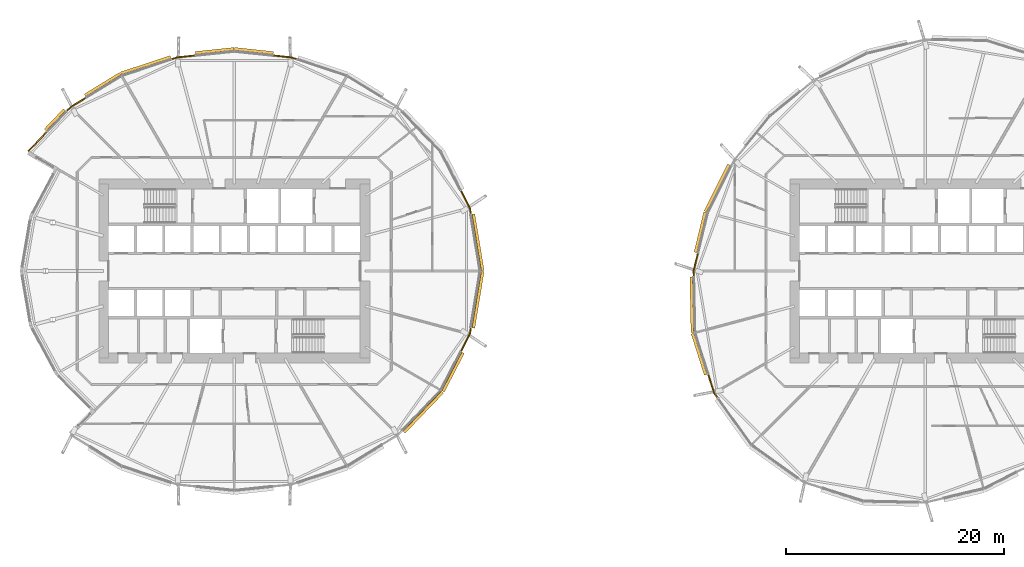
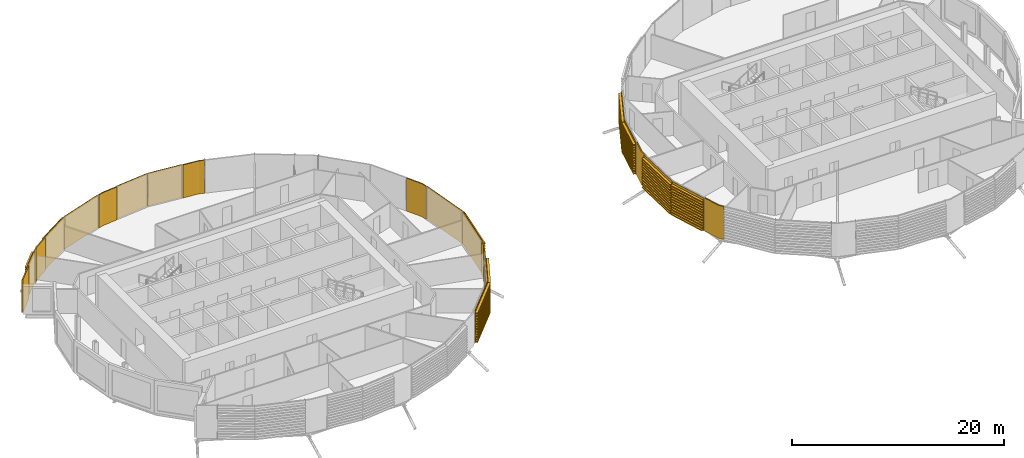
# One storey, part 34 of 37: 21 coverings.
"""IFC4 building model written with IfcOpenShell, lengths in metres."""

import ifcopenshell
import ifcopenshell.guid

model = None  # the IFC model being written
_history = None  # IfcOwnerHistory: only IFC2X3 demands one
_inside = {}  # id of a spatial element -> (the spatial element, [elements in it])
_under = {}  # id of a project, library or spatial element -> (it, [spatial elements below it])
_declared = {}  # id of a project -> (the project, [libraries it declares])
_typed = {}  # id of a type object -> (the type object, [elements of that type])
_made_of = {}  # id of a material, layer set ... -> (it, [elements and type objects made of it])


def new_model(schema):
    """Start an empty IFC model of exactly this schema.

    Asked for "IFC4X3", IfcOpenShell would pick the latest addendum, in which some entities
    have other attributes; the version numbers below select the first issue.
    IFC2X3 requires an IfcOwnerHistory on every rooted entity: one is made here for all.
    """
    global model, _history
    if schema == "IFC4X3":
        model = ifcopenshell.file(schema_version=(4, 3, 0, 0))
    else:
        model = ifcopenshell.file(schema=schema)
    _inside.clear()
    _under.clear()
    _declared.clear()
    _typed.clear()
    _made_of.clear()
    _history = None
    if model.schema == "IFC2X3":
        org = make("IfcOrganization", Name="unknown")
        user = make(
            "IfcPersonAndOrganization",
            ThePerson=make("IfcPerson", FamilyName="unknown"),
            TheOrganization=org,
        )
        app = make(
            "IfcApplication",
            ApplicationDeveloper=org,
            Version="unknown",
            ApplicationFullName="unknown",
            ApplicationIdentifier="unknown",
        )
        _history = make(
            "IfcOwnerHistory",
            OwningUser=user,
            OwningApplication=app,
            ChangeAction="ADDED",
            CreationDate=0,
        )
    return model


def make(cls, **values):
    """One entity of the class cls with the attributes given. An attribute that is None is left unset."""
    return model.create_entity(
        cls, **{name: value for name, value in values.items() if value is not None}
    )


def rooted(cls, **values):
    """An entity with a GlobalId (a new one), such as an element, a storey or a relation."""
    return make(cls, GlobalId=ifcopenshell.guid.new(), OwnerHistory=_history, **values)


def si_unit(unit_type, name, prefix=None):
    """IfcSIUnit, for example si_unit("LENGTHUNIT", "METRE", prefix="MILLI")."""
    return make("IfcSIUnit", UnitType=unit_type, Prefix=prefix, Name=name)


def assignment(units):
    """IfcUnitAssignment: the units of a project."""
    return None if units is None else make("IfcUnitAssignment", Units=units)


def point(xyz):
    """IfcCartesianPoint."""
    return None if xyz is None else make("IfcCartesianPoint", Coordinates=xyz)


def direction(xyz):
    """IfcDirection."""
    return None if xyz is None else make("IfcDirection", DirectionRatios=xyz)


def frame(location, z_axis=None, x_axis=None):
    """IfcAxis2Placement3D, a coordinate frame: its origin and axes. An axis left out is left unset."""
    return make(
        "IfcAxis2Placement3D",
        Location=point(location),
        Axis=direction(z_axis),
        RefDirection=direction(x_axis),
    )


def origin():
    """The frame at (0, 0, 0) with its axes left unset."""
    return frame((0.0, 0.0, 0.0))


def place(relative_to, where):
    """IfcLocalPlacement: puts the frame where relative to a parent placement (None: the world)."""
    return make(
        "IfcLocalPlacement", PlacementRelTo=relative_to, RelativePlacement=where
    )


def context(
    kind, dimensions, precision=None, world=None, true_north=None, identifier=None
):
    """IfcGeometricRepresentationContext, for example the 3D "Model" context."""
    return make(
        "IfcGeometricRepresentationContext",
        ContextIdentifier=identifier,
        ContextType=kind,
        CoordinateSpaceDimension=dimensions,
        Precision=precision,
        WorldCoordinateSystem=world,
        TrueNorth=true_north,
    )


def subcontext(parent, identifier, kind, view, scale=None):
    """IfcGeometricRepresentationSubContext, for example "Body" below "Model"."""
    return make(
        "IfcGeometricRepresentationSubContext",
        ContextIdentifier=identifier,
        ContextType=kind,
        ParentContext=parent,
        TargetScale=scale,
        TargetView=view,
    )


def project(units=None, contexts=None):
    """IfcProject with its units and contexts."""
    return rooted(
        "IfcProject",
        Name="project",
        RepresentationContexts=contexts,
        UnitsInContext=assignment(units),
    )


def spatial(cls, under=None, at=None, **own):
    """A site, building, storey or space (cls), placed at a placement, below another one or the project."""
    s = rooted(cls, ObjectPlacement=at, **own)
    if under is not None:
        _under.setdefault(under.id(), (under, []))[1].append(s)
    return s


def polyline(points):
    """IfcPolyline through the points."""
    return make("IfcPolyline", Points=[point(p) for p in points])


def outline(outer, holes=None, kind="AREA"):
    """IfcArbitraryClosedProfileDef: a profile drawn as a closed curve; with holes, ...WithVoids."""
    if holes is None:
        return make("IfcArbitraryClosedProfileDef", ProfileType=kind, OuterCurve=outer)
    return make(
        "IfcArbitraryProfileDefWithVoids",
        ProfileType=kind,
        OuterCurve=outer,
        InnerCurves=holes,
    )


def extrude(swept, where, along, depth):
    """IfcExtrudedAreaSolid: the profile swept, set in the frame where, extruded along a direction by depth."""
    return make(
        "IfcExtrudedAreaSolid",
        SweptArea=swept,
        Position=where,
        ExtrudedDirection=direction(along),
        Depth=depth,
    )


def shape(context_of_items, identifier, shape_type, items):
    """IfcShapeRepresentation: the items that make up one representation, for example the "Body"."""
    return make(
        "IfcShapeRepresentation",
        ContextOfItems=context_of_items,
        RepresentationIdentifier=identifier,
        RepresentationType=shape_type,
        Items=items,
    )


def material(Name=None, Category=None):
    """IfcMaterial."""
    return make("IfcMaterial", Name=Name, Category=Category)


def layer(
    of_material, thickness, ventilated=None, Name=None, Category=None, Priority=None
):
    """IfcMaterialLayer: one layer of a wall or slab, of a material (None: an air gap)."""
    return make(
        "IfcMaterialLayer",
        Material=of_material,
        LayerThickness=thickness,
        IsVentilated=ventilated,
        Name=Name,
        Category=Category,
        Priority=Priority,
    )


def layer_set(layers, Name=None):
    """IfcMaterialLayerSet."""
    return make("IfcMaterialLayerSet", MaterialLayers=layers, LayerSetName=Name)


def material_profile(
    of_material, cross_section, Name=None, Category=None, Priority=None
):
    """IfcMaterialProfile: a cross section and its material."""
    return make(
        "IfcMaterialProfile",
        Name=Name,
        Material=of_material,
        Profile=cross_section,
        Priority=Priority,
        Category=Category,
    )


def profile_set(profiles, Name=None, composite=None):
    """IfcMaterialProfileSet."""
    return make(
        "IfcMaterialProfileSet",
        Name=Name,
        MaterialProfiles=profiles,
        CompositeProfile=composite,
    )


def made_of(thing, what):
    """Note that an element or type object is made of a material, layer set ...; save() writes the relation."""
    if what is not None:
        _made_of.setdefault(what.id(), (what, []))[1].append(thing)
    return thing


def type_object(cls, material=None, **own):
    """A type object (cls), such as IfcWallType, which elements share."""
    return made_of(rooted(cls, **own), material)


def element(
    cls,
    number,
    at=None,
    inside=None,
    cuts=None,
    type_object=None,
    material=None,
    context=None,
    identifier="Body",
    shape_type=None,
    held_by="IfcProductDefinitionShape",
    body=None,
    shapes=None,
    **own,
):
    """One element of the class cls, such as IfcWall. Its Tag is "e" and its number.

    at: its placement. inside: the storey or other place that contains it. cuts: it is an
    opening in that element (IfcRelVoidsElement). A single representation is given by context,
    identifier, shape_type and body (its items); several are given by shapes. held_by: the class
    of the entity that holds the representations. save() writes the other relations.
    """
    e = rooted(cls, Tag="e%d" % number, ObjectPlacement=at, **own)
    if body is not None:
        shapes = [shape(context, identifier, shape_type, body)]
    if shapes is not None:
        e.Representation = make(held_by, Representations=shapes)
    if inside is not None:
        _inside.setdefault(inside.id(), (inside, []))[1].append(e)
    if cuts is not None:
        rooted(
            "IfcRelVoidsElement", RelatingBuildingElement=cuts, RelatedOpeningElement=e
        )
    if type_object is not None:
        _typed.setdefault(type_object.id(), (type_object, []))[1].append(e)
    return made_of(e, material)


def aggregate(whole, parts):
    """IfcRelAggregates: a whole, such as a stair, and the parts it consists of."""
    return rooted("IfcRelAggregates", RelatingObject=whole, RelatedObjects=parts)


def save(model, path):
    """Write the relations noted so far, then the file.

    IfcRelAggregates (storeys below a building ...), IfcRelContainedInSpatialStructure (elements
    in a storey), IfcRelDefinesByType, IfcRelAssociatesMaterial and IfcRelDeclares: one each for
    every whole, place, type object, material and project.
    """
    for whole, parts in _under.values():
        aggregate(whole, parts)
    for where, things in _inside.values():
        rooted(
            "IfcRelContainedInSpatialStructure",
            RelatedElements=things,
            RelatingStructure=where,
        )
    for kind, things in _typed.values():
        rooted("IfcRelDefinesByType", RelatedObjects=things, RelatingType=kind)
    for what, things in _made_of.values():
        rooted("IfcRelAssociatesMaterial", RelatedObjects=things, RelatingMaterial=what)
    for by, libraries in _declared.values():
        rooted("IfcRelDeclares", RelatingContext=by, RelatedDefinitions=libraries)
    model.write(path)


model = new_model("IFC4")

# Units and contexts
model_context = context("Model", 3, precision=1e-05, world=origin(), true_north=direction((0.0, 1.0)))
body_context = subcontext(model_context, "Body", "Model", "MODEL_VIEW")
ifc_project = project(units=[si_unit("LENGTHUNIT", "METRE"), si_unit("AREAUNIT", "SQUARE_METRE"), si_unit("VOLUMEUNIT", "CUBIC_METRE"), si_unit("PLANEANGLEUNIT", "RADIAN"), si_unit("MASSUNIT", "GRAM", prefix="KILO")], contexts=[model_context])

# Site, building, storey
site_placement = place(None, origin())
site = spatial("IfcSite", under=ifc_project, at=site_placement, CompositionType="ELEMENT")
building_placement = place(site_placement, origin())
building = spatial("IfcBuilding", under=site, at=building_placement, Name="Rimbun Link Towers", CompositionType="ELEMENT")
storey_placement = place(building_placement, frame((0.0, 0.0, 45.199951171875)))
storey = spatial("IfcBuildingStorey", under=building, at=storey_placement, Name="L10", CompositionType="ELEMENT", Elevation=45.199951171875)

# Coverings
ifc_material_1 = material(Name="Terracotta", Category="masonry")
ifc_layer = layer(ifc_material_1, 0.1201171875)
ifc_layer_set = layer_set([ifc_layer], Name="LINK PIER terracotta cladding 120")
covering_type_1 = type_object("IfcCoveringType", Name="LINK PIER terracotta cladding 120", PredefinedType="CLADDING", material=ifc_layer_set)
covering_1_placement = place(storey_placement, origin())
element("IfcCovering", 1, at=covering_1_placement, inside=storey, type_object=covering_type_1, Name="LINK PIER cladding", PredefinedType="CLADDING", context=body_context, shape_type="SweptSolid", body=[
    extrude(outline(polyline([(-10.972900390625, 7.357177734375), (-10.159423828125, 5.78515625), (-10.06689453125, 5.22265625), (-9.948486328125, 5.2421875), (-10.044189453125, 5.823486328125), (-10.866455078125, 7.412353515625), (-10.972900390625, 7.357177734375)])), origin(), (0.0, 0.0, 1.0), 3.800048828125),
])
covering_2_placement = place(storey_placement, origin())
element("IfcCovering", 2, at=covering_2_placement, inside=storey, type_object=covering_type_1, Name="LINK PIER cladding", PredefinedType="CLADDING", context=body_context, shape_type="SweptSolid", body=[
    extrude(outline(polyline([(-28.166015625, 19.7490234375), (-26.505126953125, 19.57421875), (-26.011474609375, 19.41064453125), (-25.9736328125, 19.524658203125), (-26.479736328125, 19.692138671875), (-28.1533203125, 19.868408203125), (-28.166015625, 19.7490234375)])), origin(), (0.0, 0.0, 1.0), 3.800048828125),
])
covering_3_placement = place(storey_placement, origin())
element("IfcCovering", 3, at=covering_3_placement, inside=storey, type_object=covering_type_1, Name="LINK PIER cladding", PredefinedType="CLADDING", context=body_context, shape_type="SweptSolid", body=[
    extrude(outline(polyline([(-37.488525390625, 19.41064453125), (-36.994873046875, 19.57421875), (-35.333984375, 19.7490234375), (-35.3466796875, 19.868408203125), (-37.020263671875, 19.692138671875), (-37.5263671875, 19.524658203125), (-37.488525390625, 19.41064453125)])), origin(), (0.0, 0.0, 1.0), 3.800048828125),
])
covering_4_placement = place(storey_placement, origin())
element("IfcCovering", 4, at=covering_4_placement, inside=storey, type_object=covering_type_1, Name="LINK PIER cladding", PredefinedType="CLADDING", context=body_context, shape_type="SweptSolid", body=[
    extrude(outline(polyline([(-50.658447265625, 10.950439453125), (-48.93505859375, 12.747802734375), (-49.021728515625, 12.830810546875), (-50.744873046875, 11.033447265625), (-50.658447265625, 10.950439453125)])), origin(), (0.0, 0.0, 1.0), 3.800048828125),
])
covering_5_placement = place(storey_placement, origin())
element("IfcCovering", 5, at=covering_5_placement, inside=storey, type_object=covering_type_1, Name="LINK PIER cladding", PredefinedType="CLADDING", context=body_context, shape_type="SweptSolid", body=[
    extrude(outline(polyline([(-47.123046875, 14.637939453125), (-46.76318359375, 15.01318359375), (-45.340087890625, 15.886962890625), (-45.40283203125, 15.9892578125), (-46.839111328125, 15.107421875), (-47.209716796875, 14.720947265625), (-47.123046875, 14.637939453125)])), origin(), (0.0, 0.0, 1.0), 3.800048828125),
])
covering_6_placement = place(storey_placement, origin())
element("IfcCovering", 6, at=covering_6_placement, inside=storey, type_object=covering_type_1, Name="LINK PIER cladding", PredefinedType="CLADDING", context=body_context, shape_type="SweptSolid", body=[
    extrude(outline(polyline([(-10.06689453125, -5.22265625), (-10.159423828125, -5.78515625), (-10.972900390625, -7.357177734375), (-10.866455078125, -7.412353515625), (-10.044189453125, -5.823486328125), (-9.948486328125, -5.2421875), (-10.06689453125, -5.22265625)])), origin(), (0.0, 0.0, 1.0), 3.800048828125),
])
covering_7_placement = place(storey_placement, origin())
element("IfcCovering", 7, at=covering_7_placement, inside=storey, type_object=covering_type_1, Name="LINK PIER cladding", PredefinedType="CLADDING", context=body_context, shape_type="SweptSolid", body=[
    extrude(outline(polyline([(10.529052734375, -0.519775390625), (10.51806640625, 0.0), (10.906494140625, 1.624267578125), (10.789794921875, 1.652099609375), (10.397705078125, 0.012939453125), (10.4091796875, -0.5224609375), (10.529052734375, -0.519775390625)])), origin(), (0.0, 0.0, 1.0), 3.800048828125),
])
covering_8_placement = place(storey_placement, origin())
element("IfcCovering", 8, at=covering_8_placement, inside=storey, type_object=covering_type_1, Name="LINK PIER cladding", PredefinedType="CLADDING", context=body_context, shape_type="SweptSolid", body=[
    extrude(outline(polyline([(12.724853515625, -11.63916015625), (12.392578125, -11.176025390625), (11.85595703125, -9.4892578125), (11.74169921875, -9.525634765625), (12.283935546875, -11.230712890625), (12.627197265625, -11.709228515625), (12.724853515625, -11.63916015625)])), origin(), (0.0, 0.0, 1.0), 3.800048828125),
])
ifc_material_2 = material(Name="Terracotta", Category="masonry")
ifc_material_profile = material_profile(ifc_material_2, outline(polyline([(0.123046875, 0.0), (0.1630859375, 0.0), (0.1630859375, 0.10009765625), (0.423095703125, 0.10009765625), (0.423095703125, 0.219970703125), (0.1630859375, 0.219970703125), (0.1630859375, 0.39990234375), (0.423095703125, 0.39990234375), (0.423095703125, 0.52001953125), (0.1630859375, 0.52001953125), (0.1630859375, 0.699951171875), (0.423095703125, 0.699951171875), (0.423095703125, 0.820068359375), (0.1630859375, 0.820068359375), (0.1630859375, 1.0), (0.423095703125, 1.0), (0.423095703125, 1.1201171875), (0.1630859375, 1.1201171875), (0.1630859375, 1.300048828125), (0.423095703125, 1.300048828125), (0.423095703125, 1.419921875), (0.1630859375, 1.419921875), (0.1630859375, 1.60009765625), (0.423095703125, 1.60009765625), (0.423095703125, 1.719970703125), (0.1630859375, 1.719970703125), (0.1630859375, 1.89990234375), (0.423095703125, 1.89990234375), (0.423095703125, 2.02001953125), (0.1630859375, 2.02001953125), (0.1630859375, 2.199951171875), (0.423095703125, 2.199951171875), (0.423095703125, 2.320068359375), (0.1630859375, 2.320068359375), (0.1630859375, 2.5), (0.423095703125, 2.5), (0.423095703125, 2.6201171875), (0.1630859375, 2.6201171875), (0.1630859375, 2.800048828125), (0.423095703125, 2.800048828125), (0.423095703125, 2.919921875), (0.1630859375, 2.919921875), (0.1630859375, 3.10009765625), (0.423095703125, 3.10009765625), (0.423095703125, 3.219970703125), (0.1630859375, 3.219970703125), (0.1630859375, 3.39990234375), (0.423095703125, 3.39990234375), (0.423095703125, 3.52001953125), (0.1630859375, 3.52001953125), (0.1630859375, 3.800048828125), (0.123046875, 3.800048828125), (0.123046875, 0.0)])), Name="BAGUETTE 120X300")
ifc_profile_set = profile_set([ifc_material_profile], Name="Terracotta")
covering_type_2 = type_object("IfcCoveringType", Name="TERRACOTTA BAGUETTE 120X300 H3800", PredefinedType="CLADDING", material=ifc_profile_set)
covering_9_placement = place(storey_placement, frame((-10.062255859375, 5.193115234375, 0.0), z_axis=(0.162269712446, -0.986746441809, 0.0), x_axis=(0.986746441809, 0.162269712446, 0.0)))
element("IfcCovering", 9, at=covering_9_placement, inside=storey, type_object=covering_type_2, Name="TERRACOTTA BAGUETTE", PredefinedType="CLADDING", context=body_context, shape_type="SweptSolid", body=[
    extrude(outline(polyline([(0.123046875, 0.0), (0.1630859375, 0.0), (0.1630859375, 0.10009765625), (0.423095703125, 0.10009765625), (0.423095703125, 0.219970703125), (0.1630859375, 0.219970703125), (0.1630859375, 0.39990234375), (0.423095703125, 0.39990234375), (0.423095703125, 0.52001953125), (0.1630859375, 0.52001953125), (0.1630859375, 0.699951171875), (0.423095703125, 0.699951171875), (0.423095703125, 0.820068359375), (0.1630859375, 0.820068359375), (0.1630859375, 1.0), (0.423095703125, 1.0), (0.423095703125, 1.1201171875), (0.1630859375, 1.1201171875), (0.1630859375, 1.300048828125), (0.423095703125, 1.300048828125), (0.423095703125, 1.419921875), (0.1630859375, 1.419921875), (0.1630859375, 1.60009765625), (0.423095703125, 1.60009765625), (0.423095703125, 1.719970703125), (0.1630859375, 1.719970703125), (0.1630859375, 1.89990234375), (0.423095703125, 1.89990234375), (0.423095703125, 2.02001953125), (0.1630859375, 2.02001953125), (0.1630859375, 2.199951171875), (0.423095703125, 2.199951171875), (0.423095703125, 2.320068359375), (0.1630859375, 2.320068359375), (0.1630859375, 2.5), (0.423095703125, 2.5), (0.423095703125, 2.6201171875), (0.1630859375, 2.6201171875), (0.1630859375, 2.800048828125), (0.423095703125, 2.800048828125), (0.423095703125, 2.919921875), (0.1630859375, 2.919921875), (0.1630859375, 3.10009765625), (0.423095703125, 3.10009765625), (0.423095703125, 3.219970703125), (0.1630859375, 3.219970703125), (0.1630859375, 3.39990234375), (0.423095703125, 3.39990234375), (0.423095703125, 3.52001953125), (0.1630859375, 3.52001953125), (0.1630859375, 3.800048828125), (0.123046875, 3.800048828125), (0.123046875, 0.0)])), origin(), (0.0, 0.0, 1.0), 5.262939453125),
])
for number, where, z_axis, x_axis, name in (
    (10, (-31.75, 20.126708984375, 0.0), (0.994494217738, -0.104791463801, 0.0), (0.104791463801, 0.994494217738, 0.0), "TERRACOTTA BAGUETTE"),
    (11, (-35.30419921875, 19.752197265625, 0.0), (0.994494217738, 0.104791463801, 0.0), (-0.104791463801, 0.994494217738, 0.0), "TERRACOTTA BAGUETTE"),
):
    element("IfcCovering", number, at=place(storey_placement, frame(where, z_axis=z_axis, x_axis=x_axis)), inside=storey, type_object=covering_type_2, Name=name, PredefinedType="CLADDING", context=body_context, shape_type="SweptSolid", body=[
        extrude(outline(polyline([(0.123046875, 0.0), (0.1630859375, 0.0), (0.1630859375, 0.10009765625), (0.423095703125, 0.10009765625), (0.423095703125, 0.219970703125), (0.1630859375, 0.219970703125), (0.1630859375, 0.39990234375), (0.423095703125, 0.39990234375), (0.423095703125, 0.52001953125), (0.1630859375, 0.52001953125), (0.1630859375, 0.699951171875), (0.423095703125, 0.699951171875), (0.423095703125, 0.820068359375), (0.1630859375, 0.820068359375), (0.1630859375, 1.0), (0.423095703125, 1.0), (0.423095703125, 1.1201171875), (0.1630859375, 1.1201171875), (0.1630859375, 1.300048828125), (0.423095703125, 1.300048828125), (0.423095703125, 1.419921875), (0.1630859375, 1.419921875), (0.1630859375, 1.60009765625), (0.423095703125, 1.60009765625), (0.423095703125, 1.719970703125), (0.1630859375, 1.719970703125), (0.1630859375, 1.89990234375), (0.423095703125, 1.89990234375), (0.423095703125, 2.02001953125), (0.1630859375, 2.02001953125), (0.1630859375, 2.199951171875), (0.423095703125, 2.199951171875), (0.423095703125, 2.320068359375), (0.1630859375, 2.320068359375), (0.1630859375, 2.5), (0.423095703125, 2.5), (0.423095703125, 2.6201171875), (0.1630859375, 2.6201171875), (0.1630859375, 2.800048828125), (0.423095703125, 2.800048828125), (0.423095703125, 2.919921875), (0.1630859375, 2.919921875), (0.1630859375, 3.10009765625), (0.423095703125, 3.10009765625), (0.423095703125, 3.219970703125), (0.1630859375, 3.219970703125), (0.1630859375, 3.39990234375), (0.423095703125, 3.39990234375), (0.423095703125, 3.52001953125), (0.1630859375, 3.52001953125), (0.1630859375, 3.800048828125), (0.123046875, 3.800048828125), (0.123046875, 0.0)])), origin(), (0.0, 0.0, 1.0), 3.573974609375),
    ])
covering_10_placement = place(storey_placement, frame((-42.07861328125, 17.8896484375, 0.0), z_axis=(0.949245728051, 0.314535447568, 0.0), x_axis=(-0.314535447568, 0.949245728051, 0.0)))
element("IfcCovering", 12, at=covering_10_placement, inside=storey, type_object=covering_type_2, Name="TERRACOTTA BAGUETTE", PredefinedType="CLADDING", context=body_context, shape_type="SweptSolid", body=[
    extrude(outline(polyline([(0.123046875, 0.0), (0.1630859375, 0.0), (0.1630859375, 0.10009765625), (0.423095703125, 0.10009765625), (0.423095703125, 0.219970703125), (0.1630859375, 0.219970703125), (0.1630859375, 0.39990234375), (0.423095703125, 0.39990234375), (0.423095703125, 0.52001953125), (0.1630859375, 0.52001953125), (0.1630859375, 0.699951171875), (0.423095703125, 0.699951171875), (0.423095703125, 0.820068359375), (0.1630859375, 0.820068359375), (0.1630859375, 1.0), (0.423095703125, 1.0), (0.423095703125, 1.1201171875), (0.1630859375, 1.1201171875), (0.1630859375, 1.300048828125), (0.423095703125, 1.300048828125), (0.423095703125, 1.419921875), (0.1630859375, 1.419921875), (0.1630859375, 1.60009765625), (0.423095703125, 1.60009765625), (0.423095703125, 1.719970703125), (0.1630859375, 1.719970703125), (0.1630859375, 1.89990234375), (0.423095703125, 1.89990234375), (0.423095703125, 2.02001953125), (0.1630859375, 2.02001953125), (0.1630859375, 2.199951171875), (0.423095703125, 2.199951171875), (0.423095703125, 2.320068359375), (0.1630859375, 2.320068359375), (0.1630859375, 2.5), (0.423095703125, 2.5), (0.423095703125, 2.6201171875), (0.1630859375, 2.6201171875), (0.1630859375, 2.800048828125), (0.423095703125, 2.800048828125), (0.423095703125, 2.919921875), (0.1630859375, 2.919921875), (0.1630859375, 3.10009765625), (0.423095703125, 3.10009765625), (0.423095703125, 3.219970703125), (0.1630859375, 3.219970703125), (0.1630859375, 3.39990234375), (0.423095703125, 3.39990234375), (0.423095703125, 3.52001953125), (0.1630859375, 3.52001953125), (0.1630859375, 3.800048828125), (0.123046875, 3.800048828125), (0.123046875, 0.0)])), origin(), (0.0, 0.0, 1.0), 4.805419921875),
])
covering_11_placement = place(storey_placement, frame((-45.314453125, 15.902587890625, 0.0), z_axis=(0.852154627226, 0.523290064206, 0.0), x_axis=(-0.523290064206, 0.852154627226, 0.0)))
element("IfcCovering", 13, at=covering_11_placement, inside=storey, type_object=covering_type_2, Name="TERRACOTTA BAGUETTE", PredefinedType="CLADDING", context=body_context, shape_type="SweptSolid", body=[
    extrude(outline(polyline([(0.123046875, 0.0), (0.1630859375, 0.0), (0.1630859375, 0.10009765625), (0.423095703125, 0.10009765625), (0.423095703125, 0.219970703125), (0.1630859375, 0.219970703125), (0.1630859375, 0.39990234375), (0.423095703125, 0.39990234375), (0.423095703125, 0.52001953125), (0.1630859375, 0.52001953125), (0.1630859375, 0.699951171875), (0.423095703125, 0.699951171875), (0.423095703125, 0.820068359375), (0.1630859375, 0.820068359375), (0.1630859375, 1.0), (0.423095703125, 1.0), (0.423095703125, 1.1201171875), (0.1630859375, 1.1201171875), (0.1630859375, 1.300048828125), (0.423095703125, 1.300048828125), (0.423095703125, 1.419921875), (0.1630859375, 1.419921875), (0.1630859375, 1.60009765625), (0.423095703125, 1.60009765625), (0.423095703125, 1.719970703125), (0.1630859375, 1.719970703125), (0.1630859375, 1.89990234375), (0.423095703125, 1.89990234375), (0.423095703125, 2.02001953125), (0.1630859375, 2.02001953125), (0.1630859375, 2.199951171875), (0.423095703125, 2.199951171875), (0.423095703125, 2.320068359375), (0.1630859375, 2.320068359375), (0.1630859375, 2.5), (0.423095703125, 2.5), (0.423095703125, 2.6201171875), (0.1630859375, 2.6201171875), (0.1630859375, 2.800048828125), (0.423095703125, 2.800048828125), (0.423095703125, 2.919921875), (0.1630859375, 2.919921875), (0.1630859375, 3.10009765625), (0.423095703125, 3.10009765625), (0.423095703125, 3.219970703125), (0.1630859375, 3.219970703125), (0.1630859375, 3.39990234375), (0.423095703125, 3.39990234375), (0.423095703125, 3.52001953125), (0.1630859375, 3.52001953125), (0.1630859375, 3.800048828125), (0.123046875, 3.800048828125), (0.123046875, 0.0)])), origin(), (0.0, 0.0, 1.0), 3.79736328125),
])
covering_12_placement = place(storey_placement, frame((-48.914306640625, 12.76953125, 0.0), z_axis=(0.692062872066, 0.721837226186, 0.0), x_axis=(-0.721837226186, 0.692062872066, 0.0)))
element("IfcCovering", 14, at=covering_12_placement, inside=storey, type_object=covering_type_2, Name="TERRACOTTA BAGUETTE", PredefinedType="CLADDING", context=body_context, shape_type="SweptSolid", body=[
    extrude(outline(polyline([(0.123046875, 0.0), (0.1630859375, 0.0), (0.1630859375, 0.10009765625), (0.423095703125, 0.10009765625), (0.423095703125, 0.219970703125), (0.1630859375, 0.219970703125), (0.1630859375, 0.39990234375), (0.423095703125, 0.39990234375), (0.423095703125, 0.52001953125), (0.1630859375, 0.52001953125), (0.1630859375, 0.699951171875), (0.423095703125, 0.699951171875), (0.423095703125, 0.820068359375), (0.1630859375, 0.820068359375), (0.1630859375, 1.0), (0.423095703125, 1.0), (0.423095703125, 1.1201171875), (0.1630859375, 1.1201171875), (0.1630859375, 1.300048828125), (0.423095703125, 1.300048828125), (0.423095703125, 1.419921875), (0.1630859375, 1.419921875), (0.1630859375, 1.60009765625), (0.423095703125, 1.60009765625), (0.423095703125, 1.719970703125), (0.1630859375, 1.719970703125), (0.1630859375, 1.89990234375), (0.423095703125, 1.89990234375), (0.423095703125, 2.02001953125), (0.1630859375, 2.02001953125), (0.1630859375, 2.199951171875), (0.423095703125, 2.199951171875), (0.423095703125, 2.320068359375), (0.1630859375, 2.320068359375), (0.1630859375, 2.5), (0.423095703125, 2.5), (0.423095703125, 2.6201171875), (0.1630859375, 2.6201171875), (0.1630859375, 2.800048828125), (0.423095703125, 2.800048828125), (0.423095703125, 2.919921875), (0.1630859375, 2.919921875), (0.1630859375, 3.10009765625), (0.423095703125, 3.10009765625), (0.423095703125, 3.219970703125), (0.1630859375, 3.219970703125), (0.1630859375, 3.39990234375), (0.423095703125, 3.39990234375), (0.423095703125, 3.52001953125), (0.1630859375, 3.52001953125), (0.1630859375, 3.800048828125), (0.123046875, 3.800048828125), (0.123046875, 0.0)])), origin(), (0.0, 0.0, 1.0), 2.558349609375),
])
covering_13_placement = place(storey_placement, frame((-12.82080078125, -10.9287109375, 0.0), z_axis=(-0.692063122266, -0.721836986306, 0.0), x_axis=(0.721836986306, -0.692063122266, 0.0)))
element("IfcCovering", 15, at=covering_13_placement, inside=storey, type_object=covering_type_2, Name="TERRACOTTA BAGUETTE", PredefinedType="CLADDING", context=body_context, shape_type="SweptSolid", body=[
    extrude(outline(polyline([(0.123046875, 0.0), (0.1630859375, 0.0), (0.1630859375, 0.10009765625), (0.423095703125, 0.10009765625), (0.423095703125, 0.219970703125), (0.1630859375, 0.219970703125), (0.1630859375, 0.39990234375), (0.423095703125, 0.39990234375), (0.423095703125, 0.52001953125), (0.1630859375, 0.52001953125), (0.1630859375, 0.699951171875), (0.423095703125, 0.699951171875), (0.423095703125, 0.820068359375), (0.1630859375, 0.820068359375), (0.1630859375, 1.0), (0.423095703125, 1.0), (0.423095703125, 1.1201171875), (0.1630859375, 1.1201171875), (0.1630859375, 1.300048828125), (0.423095703125, 1.300048828125), (0.423095703125, 1.419921875), (0.1630859375, 1.419921875), (0.1630859375, 1.60009765625), (0.423095703125, 1.60009765625), (0.423095703125, 1.719970703125), (0.1630859375, 1.719970703125), (0.1630859375, 1.89990234375), (0.423095703125, 1.89990234375), (0.423095703125, 2.02001953125), (0.1630859375, 2.02001953125), (0.1630859375, 2.199951171875), (0.423095703125, 2.199951171875), (0.423095703125, 2.320068359375), (0.1630859375, 2.320068359375), (0.1630859375, 2.5), (0.423095703125, 2.5), (0.423095703125, 2.6201171875), (0.1630859375, 2.6201171875), (0.1630859375, 2.800048828125), (0.423095703125, 2.800048828125), (0.423095703125, 2.919921875), (0.1630859375, 2.919921875), (0.1630859375, 3.10009765625), (0.423095703125, 3.10009765625), (0.423095703125, 3.219970703125), (0.1630859375, 3.219970703125), (0.1630859375, 3.39990234375), (0.423095703125, 3.39990234375), (0.423095703125, 3.52001953125), (0.1630859375, 3.52001953125), (0.1630859375, 3.800048828125), (0.123046875, 3.800048828125), (0.123046875, 0.0)])), origin(), (0.0, 0.0, 1.0), 5.1083984375),
])
covering_14_placement = place(storey_placement, frame((-10.98681640625, -7.3837890625, 0.0), z_axis=(-0.459502792703, -0.888176324554, 0.0), x_axis=(0.888176324554, -0.459502792703, 0.0)))
element("IfcCovering", 16, at=covering_14_placement, inside=storey, type_object=covering_type_2, Name="TERRACOTTA BAGUETTE", PredefinedType="CLADDING", context=body_context, shape_type="SweptSolid", body=[
    extrude(outline(polyline([(0.123046875, 0.0), (0.1630859375, 0.0), (0.1630859375, 0.10009765625), (0.423095703125, 0.10009765625), (0.423095703125, 0.219970703125), (0.1630859375, 0.219970703125), (0.1630859375, 0.39990234375), (0.423095703125, 0.39990234375), (0.423095703125, 0.52001953125), (0.1630859375, 0.52001953125), (0.1630859375, 0.699951171875), (0.423095703125, 0.699951171875), (0.423095703125, 0.820068359375), (0.1630859375, 0.820068359375), (0.1630859375, 1.0), (0.423095703125, 1.0), (0.423095703125, 1.1201171875), (0.1630859375, 1.1201171875), (0.1630859375, 1.300048828125), (0.423095703125, 1.300048828125), (0.423095703125, 1.419921875), (0.1630859375, 1.419921875), (0.1630859375, 1.60009765625), (0.423095703125, 1.60009765625), (0.423095703125, 1.719970703125), (0.1630859375, 1.719970703125), (0.1630859375, 1.89990234375), (0.423095703125, 1.89990234375), (0.423095703125, 2.02001953125), (0.1630859375, 2.02001953125), (0.1630859375, 2.199951171875), (0.423095703125, 2.199951171875), (0.423095703125, 2.320068359375), (0.1630859375, 2.320068359375), (0.1630859375, 2.5), (0.423095703125, 2.5), (0.423095703125, 2.6201171875), (0.1630859375, 2.6201171875), (0.1630859375, 2.800048828125), (0.423095703125, 2.800048828125), (0.423095703125, 2.919921875), (0.1630859375, 2.919921875), (0.1630859375, 3.10009765625), (0.423095703125, 3.10009765625), (0.423095703125, 3.219970703125), (0.1630859375, 3.219970703125), (0.1630859375, 3.39990234375), (0.423095703125, 3.39990234375), (0.423095703125, 3.52001953125), (0.1630859375, 3.52001953125), (0.1630859375, 3.800048828125), (0.123046875, 3.800048828125), (0.123046875, 0.0)])), origin(), (0.0, 0.0, 1.0), 3.9912109375),
])
covering_15_placement = place(storey_placement, frame((-9.208251953125, 0.0, 0.0), z_axis=(-0.162269712446, -0.986746441809, 0.0), x_axis=(0.986746441809, -0.162269712446, 0.0)))
element("IfcCovering", 17, at=covering_15_placement, inside=storey, type_object=covering_type_2, Name="TERRACOTTA BAGUETTE", PredefinedType="CLADDING", context=body_context, shape_type="SweptSolid", body=[
    extrude(outline(polyline([(0.123046875, 0.0), (0.1630859375, 0.0), (0.1630859375, 0.10009765625), (0.423095703125, 0.10009765625), (0.423095703125, 0.219970703125), (0.1630859375, 0.219970703125), (0.1630859375, 0.39990234375), (0.423095703125, 0.39990234375), (0.423095703125, 0.52001953125), (0.1630859375, 0.52001953125), (0.1630859375, 0.699951171875), (0.423095703125, 0.699951171875), (0.423095703125, 0.820068359375), (0.1630859375, 0.820068359375), (0.1630859375, 1.0), (0.423095703125, 1.0), (0.423095703125, 1.1201171875), (0.1630859375, 1.1201171875), (0.1630859375, 1.300048828125), (0.423095703125, 1.300048828125), (0.423095703125, 1.419921875), (0.1630859375, 1.419921875), (0.1630859375, 1.60009765625), (0.423095703125, 1.60009765625), (0.423095703125, 1.719970703125), (0.1630859375, 1.719970703125), (0.1630859375, 1.89990234375), (0.423095703125, 1.89990234375), (0.423095703125, 2.02001953125), (0.1630859375, 2.02001953125), (0.1630859375, 2.199951171875), (0.423095703125, 2.199951171875), (0.423095703125, 2.320068359375), (0.1630859375, 2.320068359375), (0.1630859375, 2.5), (0.423095703125, 2.5), (0.423095703125, 2.6201171875), (0.1630859375, 2.6201171875), (0.1630859375, 2.800048828125), (0.423095703125, 2.800048828125), (0.423095703125, 2.919921875), (0.1630859375, 2.919921875), (0.1630859375, 3.10009765625), (0.423095703125, 3.10009765625), (0.423095703125, 3.219970703125), (0.1630859375, 3.219970703125), (0.1630859375, 3.39990234375), (0.423095703125, 3.39990234375), (0.423095703125, 3.52001953125), (0.1630859375, 3.52001953125), (0.1630859375, 3.800048828125), (0.123046875, 3.800048828125), (0.123046875, 0.0)])), origin(), (0.0, 0.0, 1.0), 5.262939453125),
])
covering_16_placement = place(storey_placement, frame((11.796875, 5.346435546875, 0.0), z_axis=(0.448757389843, 0.893653627006, 0.0), x_axis=(-0.893653627006, 0.448757389843, 0.0)))
element("IfcCovering", 18, at=covering_16_placement, inside=storey, type_object=covering_type_2, Name="TERRACOTTA BAGUETTE", PredefinedType="CLADDING", context=body_context, shape_type="SweptSolid", body=[
    extrude(outline(polyline([(0.123046875, 0.0), (0.1630859375, 0.0), (0.1630859375, 0.10009765625), (0.423095703125, 0.10009765625), (0.423095703125, 0.219970703125), (0.1630859375, 0.219970703125), (0.1630859375, 0.39990234375), (0.423095703125, 0.39990234375), (0.423095703125, 0.52001953125), (0.1630859375, 0.52001953125), (0.1630859375, 0.699951171875), (0.423095703125, 0.699951171875), (0.423095703125, 0.820068359375), (0.1630859375, 0.820068359375), (0.1630859375, 1.0), (0.423095703125, 1.0), (0.423095703125, 1.1201171875), (0.1630859375, 1.1201171875), (0.1630859375, 1.300048828125), (0.423095703125, 1.300048828125), (0.423095703125, 1.419921875), (0.1630859375, 1.419921875), (0.1630859375, 1.60009765625), (0.423095703125, 1.60009765625), (0.423095703125, 1.719970703125), (0.1630859375, 1.719970703125), (0.1630859375, 1.89990234375), (0.423095703125, 1.89990234375), (0.423095703125, 2.02001953125), (0.1630859375, 2.02001953125), (0.1630859375, 2.199951171875), (0.423095703125, 2.199951171875), (0.423095703125, 2.320068359375), (0.1630859375, 2.320068359375), (0.1630859375, 2.5), (0.423095703125, 2.5), (0.423095703125, 2.6201171875), (0.1630859375, 2.6201171875), (0.1630859375, 2.800048828125), (0.423095703125, 2.800048828125), (0.423095703125, 2.919921875), (0.1630859375, 2.919921875), (0.1630859375, 3.10009765625), (0.423095703125, 3.10009765625), (0.423095703125, 3.219970703125), (0.1630859375, 3.219970703125), (0.1630859375, 3.39990234375), (0.423095703125, 3.39990234375), (0.423095703125, 3.52001953125), (0.1630859375, 3.52001953125), (0.1630859375, 3.800048828125), (0.123046875, 3.800048828125), (0.123046875, 0.0)])), origin(), (0.0, 0.0, 1.0), 4.805419921875),
])
covering_17_placement = place(storey_placement, frame((10.91357421875, 1.6533203125, 0.0), z_axis=(0.232614197662, 0.972569090114, 0.0), x_axis=(-0.972569090114, 0.232614197662, 0.0)))
element("IfcCovering", 19, at=covering_17_placement, inside=storey, type_object=covering_type_2, Name="TERRACOTTA BAGUETTE", PredefinedType="CLADDING", context=body_context, shape_type="SweptSolid", body=[
    extrude(outline(polyline([(0.123046875, 0.0), (0.1630859375, 0.0), (0.1630859375, 0.10009765625), (0.423095703125, 0.10009765625), (0.423095703125, 0.219970703125), (0.1630859375, 0.219970703125), (0.1630859375, 0.39990234375), (0.423095703125, 0.39990234375), (0.423095703125, 0.52001953125), (0.1630859375, 0.52001953125), (0.1630859375, 0.699951171875), (0.423095703125, 0.699951171875), (0.423095703125, 0.820068359375), (0.1630859375, 0.820068359375), (0.1630859375, 1.0), (0.423095703125, 1.0), (0.423095703125, 1.1201171875), (0.1630859375, 1.1201171875), (0.1630859375, 1.300048828125), (0.423095703125, 1.300048828125), (0.423095703125, 1.419921875), (0.1630859375, 1.419921875), (0.1630859375, 1.60009765625), (0.423095703125, 1.60009765625), (0.423095703125, 1.719970703125), (0.1630859375, 1.719970703125), (0.1630859375, 1.89990234375), (0.423095703125, 1.89990234375), (0.423095703125, 2.02001953125), (0.1630859375, 2.02001953125), (0.1630859375, 2.199951171875), (0.423095703125, 2.199951171875), (0.423095703125, 2.320068359375), (0.1630859375, 2.320068359375), (0.1630859375, 2.5), (0.423095703125, 2.5), (0.423095703125, 2.6201171875), (0.1630859375, 2.6201171875), (0.1630859375, 2.800048828125), (0.423095703125, 2.800048828125), (0.423095703125, 2.919921875), (0.1630859375, 2.919921875), (0.1630859375, 3.10009765625), (0.423095703125, 3.10009765625), (0.423095703125, 3.219970703125), (0.1630859375, 3.219970703125), (0.1630859375, 3.39990234375), (0.423095703125, 3.39990234375), (0.423095703125, 3.52001953125), (0.1630859375, 3.52001953125), (0.1630859375, 3.800048828125), (0.123046875, 3.800048828125), (0.123046875, 0.0)])), origin(), (0.0, 0.0, 1.0), 3.79736328125),
])
covering_18_placement = place(storey_placement, frame((10.63720703125, -5.656982421875, 0.0), z_axis=(-0.021028859047, 0.999778869094, 0.0), x_axis=(-0.999778869094, -0.021028859047, 0.0)))
element("IfcCovering", 20, at=covering_18_placement, inside=storey, type_object=covering_type_2, Name="TERRACOTTA BAGUETTE", PredefinedType="CLADDING", context=body_context, shape_type="SweptSolid", body=[
    extrude(outline(polyline([(0.123046875, 0.0), (0.1630859375, 0.0), (0.1630859375, 0.10009765625), (0.423095703125, 0.10009765625), (0.423095703125, 0.219970703125), (0.1630859375, 0.219970703125), (0.1630859375, 0.39990234375), (0.423095703125, 0.39990234375), (0.423095703125, 0.52001953125), (0.1630859375, 0.52001953125), (0.1630859375, 0.699951171875), (0.423095703125, 0.699951171875), (0.423095703125, 0.820068359375), (0.1630859375, 0.820068359375), (0.1630859375, 1.0), (0.423095703125, 1.0), (0.423095703125, 1.1201171875), (0.1630859375, 1.1201171875), (0.1630859375, 1.300048828125), (0.423095703125, 1.300048828125), (0.423095703125, 1.419921875), (0.1630859375, 1.419921875), (0.1630859375, 1.60009765625), (0.423095703125, 1.60009765625), (0.423095703125, 1.719970703125), (0.1630859375, 1.719970703125), (0.1630859375, 1.89990234375), (0.423095703125, 1.89990234375), (0.423095703125, 2.02001953125), (0.1630859375, 2.02001953125), (0.1630859375, 2.199951171875), (0.423095703125, 2.199951171875), (0.423095703125, 2.320068359375), (0.1630859375, 2.320068359375), (0.1630859375, 2.5), (0.423095703125, 2.5), (0.423095703125, 2.6201171875), (0.1630859375, 2.6201171875), (0.1630859375, 2.800048828125), (0.423095703125, 2.800048828125), (0.423095703125, 2.919921875), (0.1630859375, 2.919921875), (0.1630859375, 3.10009765625), (0.423095703125, 3.10009765625), (0.423095703125, 3.219970703125), (0.1630859375, 3.219970703125), (0.1630859375, 3.39990234375), (0.423095703125, 3.39990234375), (0.423095703125, 3.52001953125), (0.1630859375, 3.52001953125), (0.1630859375, 3.800048828125), (0.123046875, 3.800048828125), (0.123046875, 0.0)])), origin(), (0.0, 0.0, 1.0), 5.1083984375),
])
covering_19_placement = place(storey_placement, frame((11.846923828125, -9.460693359375, 0.0), z_axis=(-0.303077420891, 0.952965936929, 0.0), x_axis=(-0.952965936929, -0.303077420891, 0.0)))
element("IfcCovering", 21, at=covering_19_placement, inside=storey, type_object=covering_type_2, Name="TERRACOTTA BAGUETTE", PredefinedType="CLADDING", context=body_context, shape_type="SweptSolid", body=[
    extrude(outline(polyline([(0.123046875, 0.0), (0.1630859375, 0.0), (0.1630859375, 0.10009765625), (0.423095703125, 0.10009765625), (0.423095703125, 0.219970703125), (0.1630859375, 0.219970703125), (0.1630859375, 0.39990234375), (0.423095703125, 0.39990234375), (0.423095703125, 0.52001953125), (0.1630859375, 0.52001953125), (0.1630859375, 0.699951171875), (0.423095703125, 0.699951171875), (0.423095703125, 0.820068359375), (0.1630859375, 0.820068359375), (0.1630859375, 1.0), (0.423095703125, 1.0), (0.423095703125, 1.1201171875), (0.1630859375, 1.1201171875), (0.1630859375, 1.300048828125), (0.423095703125, 1.300048828125), (0.423095703125, 1.419921875), (0.1630859375, 1.419921875), (0.1630859375, 1.60009765625), (0.423095703125, 1.60009765625), (0.423095703125, 1.719970703125), (0.1630859375, 1.719970703125), (0.1630859375, 1.89990234375), (0.423095703125, 1.89990234375), (0.423095703125, 2.02001953125), (0.1630859375, 2.02001953125), (0.1630859375, 2.199951171875), (0.423095703125, 2.199951171875), (0.423095703125, 2.320068359375), (0.1630859375, 2.320068359375), (0.1630859375, 2.5), (0.423095703125, 2.5), (0.423095703125, 2.6201171875), (0.1630859375, 2.6201171875), (0.1630859375, 2.800048828125), (0.423095703125, 2.800048828125), (0.423095703125, 2.919921875), (0.1630859375, 2.919921875), (0.1630859375, 3.10009765625), (0.423095703125, 3.10009765625), (0.423095703125, 3.219970703125), (0.1630859375, 3.219970703125), (0.1630859375, 3.39990234375), (0.423095703125, 3.39990234375), (0.423095703125, 3.52001953125), (0.1630859375, 3.52001953125), (0.1630859375, 3.800048828125), (0.123046875, 3.800048828125), (0.123046875, 0.0)])), origin(), (0.0, 0.0, 1.0), 3.991455078125),
])

save(model, "model.ifc")
